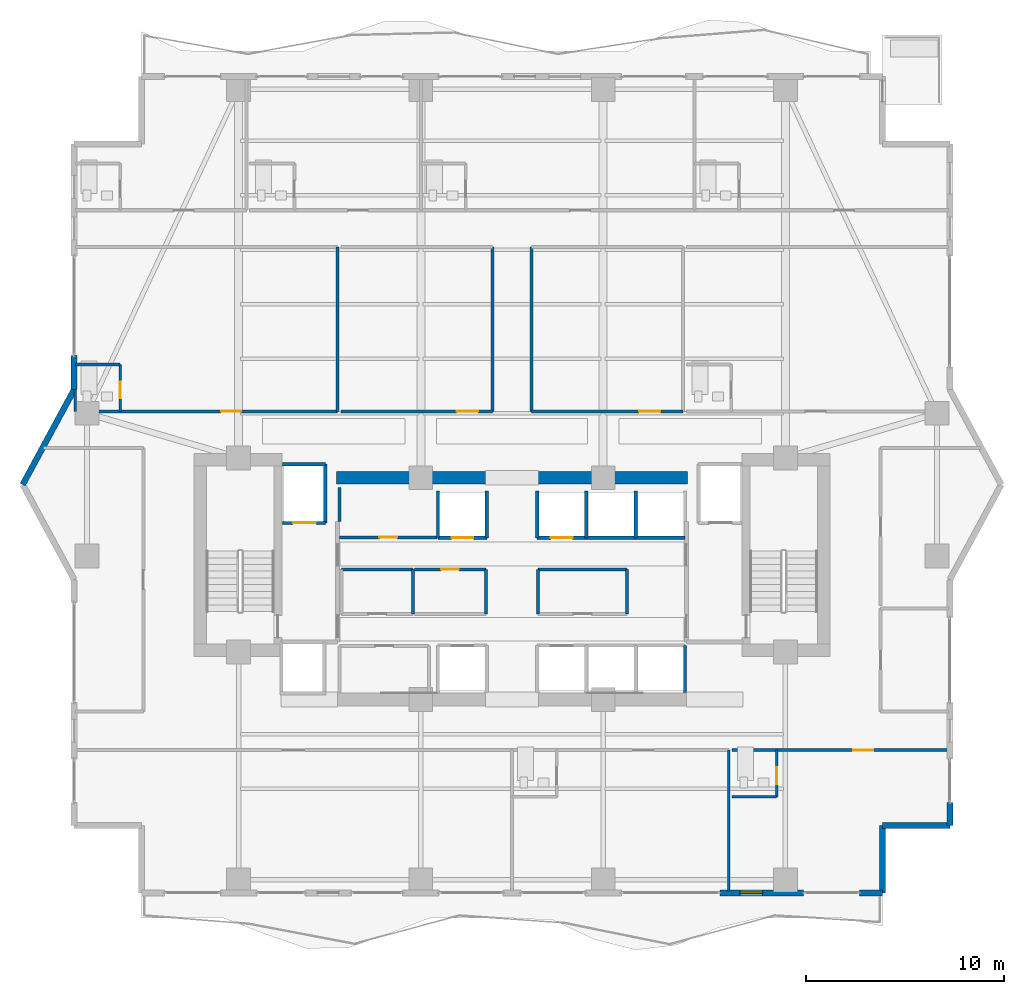
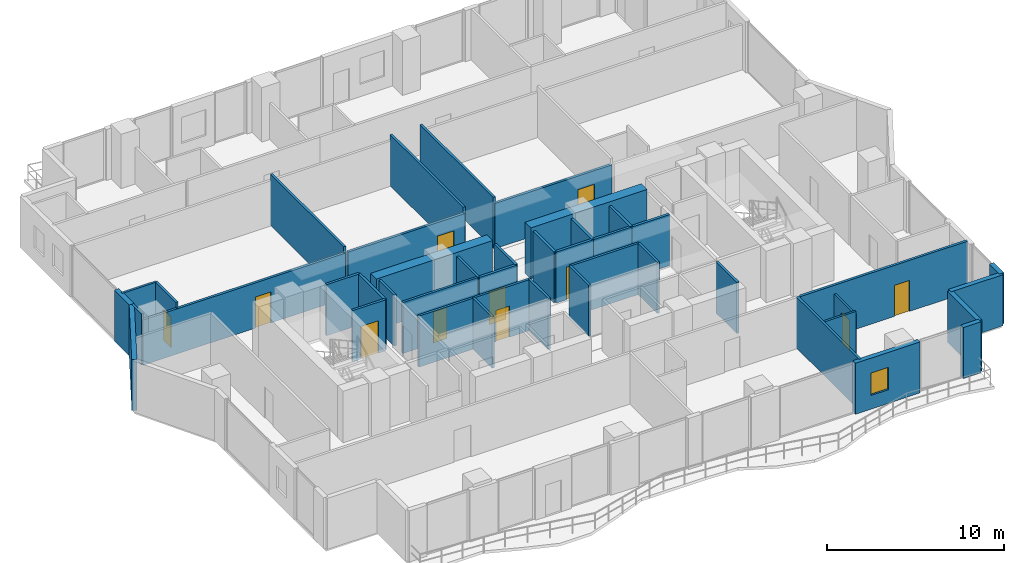
# One storey, part 26 of 32: 44 walls, 11 doors, 1 window, 12 openings.
"""IFC4 building model written with IfcOpenShell, lengths in metres."""

from ifc_helpers import new_model, si_unit, direction, frame, frame_2d, origin, place, context, subcontext, project, spatial, rectangle, extrude, material, layer, layer_set, type_object, element, fill, save


model = new_model("IFC4")

# Units and contexts
model_context = context("Model", 3, precision=1e-05, world=origin(), true_north=direction((0.0, 1.0)))
body_context = subcontext(model_context, "Body", "Model", "MODEL_VIEW")
ifc_project = project(units=[si_unit("LENGTHUNIT", "METRE"), si_unit("AREAUNIT", "SQUARE_METRE"), si_unit("VOLUMEUNIT", "CUBIC_METRE"), si_unit("PLANEANGLEUNIT", "RADIAN"), si_unit("MASSUNIT", "GRAM", prefix="KILO")], contexts=[model_context])

# Site, building, storey
site_placement = place(None, origin())
site = spatial("IfcSite", under=ifc_project, at=site_placement, CompositionType="ELEMENT")
building_placement = place(site_placement, origin())
building = spatial("IfcBuilding", under=site, at=building_placement, Name="Zuhayl Quay Hotel", CompositionType="ELEMENT")
storey_placement = place(building_placement, frame((0.0, 0.0, 218.64990234375)))
storey = spatial("IfcBuildingStorey", under=building, at=storey_placement, Name="L55", CompositionType="ELEMENT", Elevation=218.64990234375)

# Walls
ifc_material_1 = material(Name="Concrete C50/60", Category="concrete")
ifc_layer_1 = layer(ifc_material_1, 0.64990234375, Name="Concrete C50/60", Category="concrete")
ifc_layer_set_1 = layer_set([ifc_layer_1], Name="Concrete C50/60")
wall_type_1 = type_object("IfcWallType", Name="WL_CORE_650", PredefinedType="SHEAR", material=ifc_layer_set_1)
for number, where, z_axis, x_axis, name in (
    (1, (-8.85009765625, 13.35009765625, 0.0), (0.0, 0.0, 1.0), (1.0, 0.0, 0.0), "L55 Core Shear Wall CW_NC_W"),
    (2, (1.25, 13.35009765625, 0.0), (0.0, 0.0, 1.0), (1.0, 0.0, 0.0), "L55 Core Shear Wall CW_NC_E"),
):
    element("IfcWall", number, at=place(storey_placement, frame(where, z_axis=z_axis, x_axis=x_axis)), inside=storey, type_object=wall_type_1, Name=name, PredefinedType="SHEAR", context=body_context, shape_type="SweptSolid", body=[
        extrude(rectangle(XDim=7.60009765625, YDim=0.64990234375, at=frame_2d((3.800048828125, 0.0))), origin(), (0.0, 0.0, 1.0), 3.530029296875),
    ])
ifc_material_2 = material(Name="Precast concrete C45/55", Category="concrete")
ifc_layer_2 = layer(ifc_material_2, 0.300048828125, Name="Precast concrete C45/55", Category="concrete")
ifc_layer_set_2 = layer_set([ifc_layer_2], Name="Precast concrete C45/55")
wall_type_2 = type_object("IfcWallType", Name="WL_EXT_300", PredefinedType="STANDARD", material=ifc_layer_set_2)
wall_1_placement = place(storey_placement, frame((-24.699951171875, 13.0, 0.0), z_axis=(0.0, 0.0, 1.0), x_axis=(0.476258655584, 0.879305233114, 0.0)))
element("IfcWall", 3, at=wall_1_placement, inside=storey, type_object=wall_type_2, Name="L55 Exterior Precast Wall ENV_L55_EW04", PredefinedType="STANDARD", context=body_context, shape_type="SweptSolid", body=[
    extrude(rectangle(XDim=5.458984375, YDim=0.300048828125, at=frame_2d((2.7294921875, 0.0))), origin(), (0.0, 0.0, 1.0), 3.530029296875),
])
wall_2_placement = place(storey_placement, frame((-22.10009765625, 17.800048828125, 0.0), z_axis=(0.0, 0.0, 1.0), x_axis=(0.0, 1.0, 0.0)))
element("IfcWall", 4, at=wall_2_placement, inside=storey, type_object=wall_type_2, Name="L55 Exterior Precast Wall ENV_L55_E05_EW1", PredefinedType="STANDARD", context=body_context, shape_type="SweptSolid", body=[
    extrude(rectangle(XDim=1.7099609375, YDim=0.300048828125, at=frame_2d((0.85498046875, 0.0))), origin(), (0.0, 0.0, 1.0), 3.530029296875),
])
wall_3_placement = place(storey_placement, frame((22.10009765625, -3.050048828125, 0.0), z_axis=(0.0, 0.0, 1.0), x_axis=(0.0, -1.0, 0.0)))
element("IfcWall", 5, at=wall_3_placement, inside=storey, type_object=wall_type_2, Name="L55 Exterior Precast Wall ENV_L55_E14_EW3", PredefinedType="STANDARD", context=body_context, shape_type="SweptSolid", body=[
    extrude(rectangle(XDim=1.14990234375, YDim=0.300048828125, at=frame_2d((0.574951171875, 0.0))), origin(), (0.0, 0.0, 1.0), 3.530029296875),
])
for number, where, z_axis, x_axis, name in (
    (6, (22.10009765625, -4.199951171875, 0.0), (0.0, 0.0, 1.0), (-1.0, 0.0, 0.0), "L55 Exterior Precast Wall ENV_L55_EW15"),
    (7, (18.699951171875, -4.199951171875, 0.0), (0.0, 0.0, 1.0), (0.0, -1.0, 0.0), "L55 Exterior Precast Wall ENV_L55_EW16"),
):
    element("IfcWall", number, at=place(storey_placement, frame(where, z_axis=z_axis, x_axis=x_axis)), inside=storey, type_object=wall_type_2, Name=name, PredefinedType="STANDARD", context=body_context, shape_type="SweptSolid", body=[
        extrude(rectangle(XDim=3.400146484375, YDim=0.300048828125, at=frame_2d((1.7001953125, 0.0))), origin(), (0.0, 0.0, 1.0), 3.530029296875),
    ])
wall_4_placement = place(storey_placement, frame((18.699951171875, -7.60009765625, 0.0), z_axis=(0.0, 0.0, 1.0), x_axis=(-1.0, 0.0, 0.0)))
element("IfcWall", 8, at=wall_4_placement, inside=storey, type_object=wall_type_2, Name="L55 Exterior Precast Wall ENV_L55_S_EW1", PredefinedType="STANDARD", context=body_context, shape_type="SweptSolid", body=[
    extrude(rectangle(XDim=1.14990234375, YDim=0.300048828125, at=frame_2d((0.574951171875, 0.0))), origin(), (0.0, 0.0, 1.0), 3.530029296875),
])

# Wall, opening, window
wall_5_placement = place(storey_placement, frame((14.719970703125, -7.60009765625, 0.0), z_axis=(0.0, 0.0, 1.0), x_axis=(-1.0, 0.0, 0.0)))
wall_5 = element("IfcWall", 9, at=wall_5_placement, inside=storey, type_object=wall_type_2, Name="L55 Exterior Precast Wall ENV_L55_S_EW2", PredefinedType="STANDARD", context=body_context, shape_type="SweptSolid", body=[
    extrude(rectangle(XDim=4.22998046875, YDim=0.300048828125, at=frame_2d((2.114990234375, 0.0))), origin(), (0.0, 0.0, 1.0), 3.530029296875),
])
opening_1_placement = place(wall_5_placement, frame((2.06494140625, 0.0, 0.949951171875)))
opening_1 = element("IfcOpeningElement", 10, at=opening_1_placement, cuts=wall_5, Name="Opening W01N", PredefinedType="OPENING", context=body_context, shape_type="SweptSolid", body=[
    extrude(rectangle(XDim=1.14990234375, YDim=1.550048828125, at=frame_2d((0.574951171875, 0.77490234375))), frame((0.0, 0.159912109375, 0.0), z_axis=(0.0, -1.0, 0.0), x_axis=(1.0, 0.0, 0.0)), (0.0, 0.0, 1.0), 0.320068359375),
])
ifc_material_3 = material(Name="Dark Ceramic-Fritted Solar Glass", Category="glass")
window_type = type_object("IfcWindowType", Name="WN_NOTCH_1350", PartitioningType="SINGLE_PANEL", PredefinedType="WINDOW", material=ifc_material_3)
window_placement = place(opening_1_placement, origin())
window = element("IfcWindow", 11, at=window_placement, inside=storey, type_object=window_type, Name="L55 Operable Facade Window 2-1", OverallHeight=1.550048828125, OverallWidth=1.14990234375, PartitioningType="SINGLE_PANEL", PredefinedType="WINDOW", context=body_context, shape_type="SweptSolid", body=[
    extrude(rectangle(XDim=1.14990234375, YDim=1.550048828125, at=frame_2d((0.574951171875, 0.77490234375))), frame((0.0, 0.030029296875, 0.0), z_axis=(0.0, -1.0, 0.0), x_axis=(1.0, 0.0, 0.0)), (0.0, 0.0, 1.0), 0.06005859375),
])
fill(opening_1, window)

# Wall, opening, door
ifc_material_4 = material(Name="Acoustic Gypsum Partition STC-58")
ifc_layer_3 = layer(ifc_material_4, 0.14990234375, Name="Acoustic Gypsum Partition STC-58")
ifc_layer_set_3 = layer_set([ifc_layer_3], Name="Acoustic Gypsum Partition STC-58")
wall_type_3 = type_object("IfcWallType", Name="WL_PART_150", PredefinedType="PARTITIONING", material=ifc_layer_set_3)
wall_6_placement = place(storey_placement, frame((-8.7099609375, 10.340087890625, 0.0), z_axis=(0.0, 0.0, 1.0), x_axis=(1.0, 0.0, 0.0)))
wall_6 = element("IfcWall", 12, at=wall_6_placement, inside=storey, type_object=wall_type_3, Name="L55 Partition IW_L55_FLP_N_S", PredefinedType="PARTITIONING", context=body_context, shape_type="SweptSolid", body=[
    extrude(rectangle(XDim=4.919921875, YDim=0.14990234375, at=frame_2d((2.4599609375, 0.0))), origin(), (0.0, 0.0, 1.0), 3.530029296875),
])
opening_2_placement = place(wall_6_placement, frame((2.010009765625, 0.0, 0.0)))
opening_2 = element("IfcOpeningElement", 13, at=opening_2_placement, cuts=wall_6, Name="Opening D06", PredefinedType="OPENING", context=body_context, shape_type="SweptSolid", body=[
    extrude(rectangle(XDim=0.89990234375, YDim=2.14990234375, at=frame_2d((0.449951171875, 1.074951171875))), frame((0.0, 0.0849609375, 0.0), z_axis=(0.0, -1.0, 0.0), x_axis=(1.0, 0.0, 0.0)), (0.0, 0.0, 1.0), 0.169921875),
])
ifc_material_5 = material(Name="Steel ASTM A992 Grade 50", Category="steel")
door_type_1 = type_object("IfcDoorType", Name="DR_INT_900", OperationType="NOTDEFINED", PredefinedType="DOOR", material=ifc_material_5)
door_1_placement = place(opening_2_placement, origin())
door_1 = element("IfcDoor", 14, at=door_1_placement, inside=storey, type_object=door_type_1, Name="L55 Sky-Zone Valet Store Door", OperationType="SINGLE_SWING_RIGHT", OverallHeight=2.14990234375, OverallWidth=0.89990234375, PredefinedType="DOOR", context=body_context, shape_type="SweptSolid", body=[
    extrude(rectangle(XDim=0.89990234375, YDim=2.14990234375, at=frame_2d((0.449951171875, 1.074951171875))), frame((0.0, 0.02490234375, 0.0), z_axis=(0.0, -1.0, 0.0), x_axis=(1.0, 0.0, 0.0)), (0.0, 0.0, 1.0), 0.050048828125),
])
fill(opening_2, door_1)

wall_7_placement = place(storey_placement, frame((-4.929931640625, 8.719970703125, 0.0), z_axis=(0.0, 0.0, 1.0), x_axis=(1.0, 0.0, 0.0)))
wall_7 = element("IfcWall", 15, at=wall_7_placement, inside=storey, type_object=wall_type_3, Name="L55 Partition IW_L55_CORE_BM_N", PredefinedType="PARTITIONING", context=body_context, shape_type="SweptSolid", body=[
    extrude(rectangle(XDim=3.60986328125, YDim=0.14990234375, at=frame_2d((1.804931640625, 0.0))), origin(), (0.0, 0.0, 1.0), 3.530029296875),
])
opening_3_placement = place(wall_7_placement, frame((1.35498046875, 0.0, 0.0)))
opening_3 = element("IfcOpeningElement", 16, at=opening_3_placement, cuts=wall_7, Name="Opening D06", PredefinedType="OPENING", context=body_context, shape_type="SweptSolid", body=[
    extrude(rectangle(XDim=0.89990234375, YDim=2.14990234375, at=frame_2d((0.449951171875, 1.074951171875))), frame((0.0, 0.0849609375, 0.0), z_axis=(0.0, -1.0, 0.0), x_axis=(1.0, 0.0, 0.0)), (0.0, 0.0, 1.0), 0.169921875),
])
door_2_placement = place(opening_3_placement, origin())
door_2 = element("IfcDoor", 17, at=door_2_placement, inside=storey, type_object=door_type_1, Name="L55 Telecom and BMS Closet Door", OperationType="SINGLE_SWING_RIGHT", OverallHeight=2.14990234375, OverallWidth=0.89990234375, PredefinedType="DOOR", context=body_context, shape_type="SweptSolid", body=[
    extrude(rectangle(XDim=0.89990234375, YDim=2.14990234375, at=frame_2d((0.449951171875, 1.074951171875))), frame((0.0, 0.02490234375, 0.0), z_axis=(0.0, -1.0, 0.0), x_axis=(1.0, 0.0, 0.0)), (0.0, 0.0, 1.0), 0.050048828125),
])
fill(opening_3, door_2)

# Walls
wall_8_placement = place(storey_placement, frame((-8.7099609375, 11.14990234375, 0.0), z_axis=(0.0, 0.0, 1.0), x_axis=(0.0, 1.0, 0.0)))
element("IfcWall", 18, at=wall_8_placement, inside=storey, type_object=wall_type_3, Name="L55 Partition IW_L55_FLP_N_W", PredefinedType="PARTITIONING", context=body_context, shape_type="SweptSolid", body=[
    extrude(rectangle(XDim=1.710205078125, YDim=0.14990234375, at=frame_2d((0.85498046875, 0.0))), origin(), (0.0, 0.0, 1.0), 3.530029296875),
])
wall_9_placement = place(storey_placement, frame((-8.610107421875, 8.719970703125, 0.0), z_axis=(0.0, 0.0, 1.0), x_axis=(1.0, 0.0, 0.0)))
element("IfcWall", 19, at=wall_9_placement, inside=storey, type_object=wall_type_3, Name="L55 Partition IW_L55_CORE_SW_N", PredefinedType="PARTITIONING", context=body_context, shape_type="SweptSolid", body=[
    extrude(rectangle(XDim=3.6201171875, YDim=0.14990234375, at=frame_2d((1.81005859375, 0.0))), origin(), (0.0, 0.0, 1.0), 3.530029296875),
])
for number, where, z_axis, x_axis, name in (
    (20, (-4.989990234375, 6.47998046875, 0.0), (0.0, 0.0, 1.0), (0.0, 1.0, 0.0), "L55 Partition IW_L55_CORE_SW_E"),
    (21, (-1.320068359375, 6.47998046875, 0.0), (0.0, 0.0, 1.0), (0.0, 1.0, 0.0), "L55 Partition IW_L55_CORE_BM_E"),
):
    element("IfcWall", number, at=place(storey_placement, frame(where, z_axis=z_axis, x_axis=x_axis)), inside=storey, type_object=wall_type_3, Name=name, PredefinedType="PARTITIONING", context=body_context, shape_type="SweptSolid", body=[
        extrude(rectangle(XDim=2.239990234375, YDim=0.14990234375, at=frame_2d((1.1201171875, 0.0))), origin(), (0.0, 0.0, 1.0), 3.530029296875),
    ])
wall_10_placement = place(storey_placement, frame((1.320068359375, 8.719970703125, 0.0), z_axis=(0.0, 0.0, 1.0), x_axis=(1.0, 0.0, 0.0)))
element("IfcWall", 22, at=wall_10_placement, inside=storey, type_object=wall_type_3, Name="L55 Partition IW_L55_CORE_PN_N", PredefinedType="PARTITIONING", context=body_context, shape_type="SweptSolid", body=[
    extrude(rectangle(XDim=4.489990234375, YDim=0.14990234375, at=frame_2d((2.2451171875, 0.0))), origin(), (0.0, 0.0, 1.0), 3.530029296875),
])
for number, where, z_axis, x_axis, name in (
    (23, (1.320068359375, 6.47998046875, 0.0), (0.0, 0.0, 1.0), (0.0, 1.0, 0.0), "L55 Partition IW_L55_CORE_PN_W"),
    (24, (5.81005859375, 6.47998046875, 0.0), (0.0, 0.0, 1.0), (0.0, 1.0, 0.0), "L55 Partition IW_L55_CORE_PN_E"),
):
    element("IfcWall", number, at=place(storey_placement, frame(where, z_axis=z_axis, x_axis=x_axis)), inside=storey, type_object=wall_type_3, Name=name, PredefinedType="PARTITIONING", context=body_context, shape_type="SweptSolid", body=[
        extrude(rectangle(XDim=2.239990234375, YDim=0.14990234375, at=frame_2d((1.1201171875, 0.0))), origin(), (0.0, 0.0, 1.0), 3.530029296875),
    ])
for number, where, z_axis, x_axis, name in (
    (25, (-8.800048828125, 16.699951171875, 0.0), (0.0, 0.0, 1.0), (0.0, 1.0, 0.0), "L55 Partition IW_L55_MU01_E"),
    (26, (-0.97998046875, 16.699951171875, 0.0), (0.0, 0.0, 1.0), (0.0, 1.0, 0.0), "L55 Partition IW_L55_Z3_MID_W_E"),
    (27, (0.97998046875, 16.699951171875, 0.0), (0.0, 0.0, 1.0), (0.0, 1.0, 0.0), "L55 Partition IW_L55_Z3_MID_E_W"),
):
    element("IfcWall", number, at=place(storey_placement, frame(where, z_axis=z_axis, x_axis=x_axis)), inside=storey, type_object=wall_type_3, Name=name, PredefinedType="PARTITIONING", context=body_context, shape_type="SweptSolid", body=[
        extrude(rectangle(XDim=8.300048828125, YDim=0.14990234375, at=frame_2d((4.14990234375, 0.0))), origin(), (0.0, 0.0, 1.0), 3.530029296875),
    ])
wall_11_placement = place(storey_placement, frame((10.93994140625, -7.52001953125, 0.0), z_axis=(0.0, 0.0, 1.0), x_axis=(0.0, 1.0, 0.0)))
element("IfcWall", 28, at=wall_11_placement, inside=storey, type_object=wall_type_3, Name="L55 Partition IW_L55_SU02A_E", PredefinedType="PARTITIONING", context=body_context, shape_type="SweptSolid", body=[
    extrude(rectangle(XDim=7.1201171875, YDim=0.14990234375, at=frame_2d((3.56005859375, 0.0))), origin(), (0.0, 0.0, 1.0), 3.530029296875),
])

# Wall, opening, door
ifc_layer_4 = layer(ifc_material_4, 0.159912109375, Name="Acoustic Gypsum Partition STC-58")
ifc_layer_set_4 = layer_set([ifc_layer_4], Name="Acoustic Gypsum Partition STC-58")
wall_type_4 = type_object("IfcWallType", Name="WL_PART_CORR_160", PredefinedType="PARTITIONING", material=ifc_layer_set_4)
wall_12_placement = place(storey_placement, frame((-22.0400390625, 16.699951171875, 0.0), z_axis=(0.0, 0.0, 1.0), x_axis=(1.0, 0.0, 0.0)))
wall_12 = element("IfcWall", 29, at=wall_12_placement, inside=storey, type_object=wall_type_4, Name="L55 Partition IW_L55_MU01_COR", PredefinedType="PARTITIONING", context=body_context, shape_type="SweptSolid", body=[
    extrude(rectangle(XDim=13.239990234375, YDim=0.159912109375, at=frame_2d((6.6201171875, 0.0))), origin(), (0.0, 0.0, 1.0), 3.1240234375),
])
opening_4_placement = place(wall_12_placement, frame((7.364990234375, 0.0, 0.0)))
opening_4 = element("IfcOpeningElement", 30, at=opening_4_placement, cuts=wall_12, Name="Opening D03L", PredefinedType="OPENING", context=body_context, shape_type="SweptSolid", body=[
    extrude(rectangle(XDim=1.0, YDim=2.14990234375, at=frame_2d((0.5, 1.074951171875))), frame((0.0, 0.08984375, 0.0), z_axis=(0.0, -1.0, 0.0), x_axis=(1.0, 0.0, 0.0)), (0.0, 0.0, 1.0), 0.179931640625),
])
ifc_material_6 = material(Name="Solid Walnut Acoustic Fire Door")
door_type_2 = type_object("IfcDoorType", Name="DR_SUITE_1000", OperationType="NOTDEFINED", PredefinedType="DOOR", material=ifc_material_6)
door_3_placement = place(opening_4_placement, origin())
door_3 = element("IfcDoor", 31, at=door_3_placement, inside=storey, type_object=door_type_2, Name="L55 Club Junior Suite L55-M1 Entrance Door", OperationType="SINGLE_SWING_LEFT", OverallHeight=2.14990234375, OverallWidth=1.0, PredefinedType="DOOR", context=body_context, shape_type="SweptSolid", body=[
    extrude(rectangle(XDim=1.0, YDim=2.14990234375, at=frame_2d((0.5, 1.074951171875))), frame((0.0, 0.02490234375, 0.0), z_axis=(0.0, -1.0, 0.0), x_axis=(1.0, 0.0, 0.0)), (0.0, 0.0, 1.0), 0.050048828125),
])
fill(opening_4, door_3)

wall_13_placement = place(storey_placement, frame((-8.639892578125, 16.699951171875, 0.0), z_axis=(0.0, 0.0, 1.0), x_axis=(1.0, 0.0, 0.0)))
wall_13 = element("IfcWall", 32, at=wall_13_placement, inside=storey, type_object=wall_type_4, Name="L55 Partition IW_L55_Z3_MID_W_S", PredefinedType="PARTITIONING", context=body_context, shape_type="SweptSolid", body=[
    extrude(rectangle(XDim=7.659912109375, YDim=0.159912109375, at=frame_2d((3.830078125, 0.0))), origin(), (0.0, 0.0, 1.0), 3.1240234375),
])
opening_5_placement = place(wall_13_placement, frame((5.85009765625, 0.0, 0.0)))
opening_5 = element("IfcOpeningElement", 33, at=opening_5_placement, cuts=wall_13, Name="Opening D05A", PredefinedType="OPENING", context=body_context, shape_type="SweptSolid", body=[
    extrude(rectangle(XDim=1.080078125, YDim=2.179931640625, at=frame_2d((0.5400390625, 1.08984375))), frame((0.0, 0.08984375, 0.0), z_axis=(0.0, -1.0, 0.0), x_axis=(1.0, 0.0, 0.0)), (0.0, 0.0, 1.0), 0.179931640625),
])
door_type_3 = type_object("IfcDoorType", Name="DR_INT_1100", OperationType="NOTDEFINED", PredefinedType="DOOR", material=ifc_material_6)
door_4_placement = place(opening_5_placement, origin())
door_4 = element("IfcDoor", 34, at=door_4_placement, inside=storey, type_object=door_type_3, Name="L55 Curated Art Library Door", OperationType="SINGLE_SWING_RIGHT", OverallHeight=2.179931640625, OverallWidth=1.080078125, PredefinedType="DOOR", context=body_context, shape_type="SweptSolid", body=[
    extrude(rectangle(XDim=1.080078125, YDim=2.179931640625, at=frame_2d((0.5400390625, 1.08984375))), frame((0.0, 0.02490234375, 0.0), z_axis=(0.0, -1.0, 0.0), x_axis=(1.0, 0.0, 0.0)), (0.0, 0.0, 1.0), 0.050048828125),
])
fill(opening_5, door_4)

wall_14_placement = place(storey_placement, frame((0.97998046875, 16.699951171875, 0.0), z_axis=(0.0, 0.0, 1.0), x_axis=(1.0, 0.0, 0.0)))
wall_14 = element("IfcWall", 35, at=wall_14_placement, inside=storey, type_object=wall_type_4, Name="L55 Partition IW_L55_Z3_MID_E_S", PredefinedType="PARTITIONING", context=body_context, shape_type="SweptSolid", body=[
    extrude(rectangle(XDim=7.659912109375, YDim=0.159912109375, at=frame_2d((3.830078125, 0.0))), origin(), (0.0, 0.0, 1.0), 3.1240234375),
])
opening_6_placement = place(wall_14_placement, frame((5.429931640625, 0.0, 0.0)))
opening_6 = element("IfcOpeningElement", 36, at=opening_6_placement, cuts=wall_14, Name="Opening D05A", PredefinedType="OPENING", context=body_context, shape_type="SweptSolid", body=[
    extrude(rectangle(XDim=1.080078125, YDim=2.179931640625, at=frame_2d((0.5400390625, 1.08984375))), frame((0.0, 0.08984375, 0.0), z_axis=(0.0, -1.0, 0.0), x_axis=(1.0, 0.0, 0.0)), (0.0, 0.0, 1.0), 0.179931640625),
])
door_5_placement = place(opening_6_placement, origin())
door_5 = element("IfcDoor", 37, at=door_5_placement, inside=storey, type_object=door_type_3, Name="L55 Horizon Screening Salon Door", OperationType="SINGLE_SWING_LEFT", OverallHeight=2.179931640625, OverallWidth=1.080078125, PredefinedType="DOOR", context=body_context, shape_type="SweptSolid", body=[
    extrude(rectangle(XDim=1.080078125, YDim=2.179931640625, at=frame_2d((0.5400390625, 1.08984375))), frame((0.0, 0.02490234375, 0.0), z_axis=(0.0, -1.0, 0.0), x_axis=(1.0, 0.0, 0.0)), (0.0, 0.0, 1.0), 0.050048828125),
])
fill(opening_6, door_5)

wall_15_placement = place(storey_placement, frame((11.10009765625, -0.39990234375, 0.0), z_axis=(0.0, 0.0, 1.0), x_axis=(1.0, 0.0, 0.0)))
wall_15 = element("IfcWall", 38, at=wall_15_placement, inside=storey, type_object=wall_type_4, Name="L55 Partition IW_L55_SU02B_COR", PredefinedType="PARTITIONING", context=body_context, shape_type="SweptSolid", body=[
    extrude(rectangle(XDim=10.93994140625, YDim=0.159912109375, at=frame_2d((5.469970703125, 0.0))), origin(), (0.0, 0.0, 1.0), 3.530029296875),
])
opening_7_placement = place(wall_15_placement, frame((6.1201171875, 0.0, 0.0)))
opening_7 = element("IfcOpeningElement", 39, at=opening_7_placement, cuts=wall_15, Name="Opening D03L", PredefinedType="OPENING", context=body_context, shape_type="SweptSolid", body=[
    extrude(rectangle(XDim=1.0, YDim=2.14990234375, at=frame_2d((0.5, 1.074951171875))), frame((0.0, 0.08984375, 0.0), z_axis=(0.0, -1.0, 0.0), x_axis=(1.0, 0.0, 0.0)), (0.0, 0.0, 1.0), 0.179931640625),
])
door_6_placement = place(opening_7_placement, origin())
door_6 = element("IfcDoor", 40, at=door_6_placement, inside=storey, type_object=door_type_2, Name="L55 City-View Junior Suite L55-02B Entrance Door", OperationType="SINGLE_SWING_RIGHT", OverallHeight=2.14990234375, OverallWidth=1.0, PredefinedType="DOOR", context=body_context, shape_type="SweptSolid", body=[
    extrude(rectangle(XDim=1.0, YDim=2.14990234375, at=frame_2d((0.5, 1.074951171875))), frame((0.0, 0.02490234375, 0.0), z_axis=(0.0, -1.0, 0.0), x_axis=(1.0, 0.0, 0.0)), (0.0, 0.0, 1.0), 0.050048828125),
])
fill(opening_7, door_6)

ifc_material_7 = material(Name="Moisture-Resistant Sanitarychase Gypsum")
ifc_layer_5 = layer(ifc_material_7, 0.135009765625, Name="Moisture-Resistant Sanitarychase Gypsum")
ifc_layer_set_5 = layer_set([ifc_layer_5], Name="Moisture-Resistant Sanitarychase Gypsum")
wall_type_5 = type_object("IfcWallType", Name="WL_PART_PLUMB_150", PredefinedType="PLUMBINGWALL", material=ifc_layer_set_5)
wall_16_placement = place(storey_placement, frame((-19.780029296875, 16.699951171875, 0.0), z_axis=(0.0, 0.0, 1.0), x_axis=(0.0, 1.0, 0.0)))
wall_16 = element("IfcWall", 41, at=wall_16_placement, inside=storey, type_object=wall_type_5, Name="L55 Partition IW_L55_MU01_BE", PredefinedType="PLUMBINGWALL", context=body_context, shape_type="SweptSolid", body=[
    extrude(rectangle(XDim=2.360107421875, YDim=0.135009765625, at=frame_2d((1.18017578125, 0.0))), origin(), (0.0, 0.0, 1.0), 3.530029296875),
])
opening_8_placement = place(wall_16_placement, frame((0.64990234375, 0.0, 0.0)))
opening_8 = element("IfcOpeningElement", 42, at=opening_8_placement, cuts=wall_16, Name="Opening D04", PredefinedType="OPENING", context=body_context, shape_type="SweptSolid", body=[
    extrude(rectangle(XDim=0.85009765625, YDim=2.10009765625, at=frame_2d((0.425048828125, 1.050048828125))), frame((0.0, 0.077392578125, 0.0), z_axis=(0.0, -1.0, 0.0), x_axis=(1.0, 0.0, 0.0)), (0.0, 0.0, 1.0), 0.155029296875),
])
ifc_material_8 = material(Name="Moisture-Resistant Walnut Veneer")
door_type_4 = type_object("IfcDoorType", Name="DR_BATH_850", OperationType="NOTDEFINED", PredefinedType="DOOR", material=ifc_material_8)
door_7_placement = place(opening_8_placement, origin())
door_7 = element("IfcDoor", 43, at=door_7_placement, inside=storey, type_object=door_type_4, Name="L55 Club Junior Suite L55-M1 En-Suite Door", OperationType="SINGLE_SWING_RIGHT", OverallHeight=2.10009765625, OverallWidth=0.85009765625, PredefinedType="DOOR", context=body_context, shape_type="SweptSolid", body=[
    extrude(rectangle(XDim=0.85009765625, YDim=2.10009765625, at=frame_2d((0.425048828125, 1.050048828125))), frame((0.0, 0.02490234375, 0.0), z_axis=(0.0, -1.0, 0.0), x_axis=(1.0, 0.0, 0.0)), (0.0, 0.0, 1.0), 0.050048828125),
])
fill(opening_8, door_7)

wall_17_placement = place(storey_placement, frame((13.360107421875, -2.760009765625, 0.0), z_axis=(0.0, 0.0, 1.0), x_axis=(0.0, 1.0, 0.0)))
wall_17 = element("IfcWall", 44, at=wall_17_placement, inside=storey, type_object=wall_type_5, Name="L55 Partition IW_L55_SU02B_BE", PredefinedType="PLUMBINGWALL", context=body_context, shape_type="SweptSolid", body=[
    extrude(rectangle(XDim=2.360107421875, YDim=0.135009765625, at=frame_2d((1.18017578125, 0.0))), origin(), (0.0, 0.0, 1.0), 2.923095703125),
])
opening_9_placement = place(wall_17_placement, frame((0.64990234375, 0.0, 0.0)))
opening_9 = element("IfcOpeningElement", 45, at=opening_9_placement, cuts=wall_17, Name="Opening D04", PredefinedType="OPENING", context=body_context, shape_type="SweptSolid", body=[
    extrude(rectangle(XDim=0.85009765625, YDim=2.10009765625, at=frame_2d((0.425048828125, 1.050048828125))), frame((0.0, 0.077392578125, 0.0), z_axis=(0.0, -1.0, 0.0), x_axis=(1.0, 0.0, 0.0)), (0.0, 0.0, 1.0), 0.155029296875),
])
door_8_placement = place(opening_9_placement, origin())
door_8 = element("IfcDoor", 46, at=door_8_placement, inside=storey, type_object=door_type_4, Name="L55 City-View Junior Suite L55-02B En-Suite Door", OperationType="SINGLE_SWING_LEFT", OverallHeight=2.10009765625, OverallWidth=0.85009765625, PredefinedType="DOOR", context=body_context, shape_type="SweptSolid", body=[
    extrude(rectangle(XDim=0.85009765625, YDim=2.10009765625, at=frame_2d((0.425048828125, 1.050048828125))), frame((0.0, 0.02490234375, 0.0), z_axis=(0.0, -1.0, 0.0), x_axis=(1.0, 0.0, 0.0)), (0.0, 0.0, 1.0), 0.050048828125),
])
fill(opening_9, door_8)

# Walls
wall_18_placement = place(storey_placement, frame((-22.0400390625, 19.06005859375, 0.0), z_axis=(0.0, 0.0, 1.0), x_axis=(1.0, 0.0, 0.0)))
element("IfcWall", 47, at=wall_18_placement, inside=storey, type_object=wall_type_5, Name="L55 Partition IW_L55_MU01_BN", PredefinedType="PLUMBINGWALL", context=body_context, shape_type="SweptSolid", body=[
    extrude(rectangle(XDim=2.260009765625, YDim=0.135009765625, at=frame_2d((1.1298828125, 0.0))), origin(), (0.0, 0.0, 1.0), 3.530029296875),
])
wall_19_placement = place(storey_placement, frame((-22.0400390625, 16.699951171875, 0.0), z_axis=(0.0, 0.0, 1.0), x_axis=(0.0, 1.0, 0.0)))
element("IfcWall", 48, at=wall_19_placement, inside=storey, type_object=wall_type_5, Name="L55 Partition IW_L55_MU01_BW", PredefinedType="PLUMBINGWALL", context=body_context, shape_type="SweptSolid", body=[
    extrude(rectangle(XDim=1.10009765625, YDim=0.135009765625, at=frame_2d((0.550048828125, 0.0))), origin(), (0.0, 0.0, 1.0), 3.530029296875),
])
wall_20_placement = place(storey_placement, frame((11.10009765625, -2.760009765625, 0.0), z_axis=(0.0, 0.0, 1.0), x_axis=(1.0, 0.0, 0.0)))
element("IfcWall", 49, at=wall_20_placement, inside=storey, type_object=wall_type_5, Name="L55 Partition IW_L55_SU02B_BS", PredefinedType="PLUMBINGWALL", context=body_context, shape_type="SweptSolid", body=[
    extrude(rectangle(XDim=2.260009765625, YDim=0.135009765625, at=frame_2d((1.1298828125, 0.0))), origin(), (0.0, 0.0, 1.0), 3.1240234375),
])

# Wall, opening, door
ifc_material_9 = material(Name="Gypsum Fireboard Assembly EI-90")
ifc_layer_6 = layer(ifc_material_9, 0.1650390625, Name="Gypsum Fireboard Assembly EI-90")
ifc_layer_set_6 = layer_set([ifc_layer_6], Name="Gypsum Fireboard Assembly EI-90")
wall_type_6 = type_object("IfcWallType", Name="WL_PART_SHAFT_160", PredefinedType="PARTITIONING", material=ifc_layer_set_6)
wall_21_placement = place(storey_placement, frame((-11.580078125, 11.070068359375, 0.0), z_axis=(0.0, 0.0, 1.0), x_axis=(1.0, 0.0, 0.0)))
wall_21 = element("IfcWall", 50, at=wall_21_placement, inside=storey, type_object=wall_type_6, Name="L55 Partition IW_L55_SH_FL1_F", PredefinedType="PARTITIONING", context=body_context, shape_type="SweptSolid", body=[
    extrude(rectangle(XDim=2.16015625, YDim=0.1650390625, at=frame_2d((1.080078125, 0.0))), origin(), (0.0, 0.0, 1.0), 3.530029296875),
])
opening_10_placement = place(wall_21_placement, frame((0.530029296875, 0.0, 0.0)))
opening_10 = element("IfcOpeningElement", 51, at=opening_10_placement, cuts=wall_21, Name="Opening LD2", PredefinedType="OPENING", context=body_context, shape_type="SweptSolid", body=[
    extrude(rectangle(XDim=1.14990234375, YDim=2.25, at=frame_2d((0.574951171875, 1.125))), frame((0.0, 0.092529296875, 0.0), z_axis=(0.0, -1.0, 0.0), x_axis=(1.0, 0.0, 0.0)), (0.0, 0.0, 1.0), 0.18505859375),
])
ifc_material_10 = material(Name="Brushed Stainless Steel", Category="steel")
door_type_5 = type_object("IfcDoorType", Name="DR_LIFT_FF_1100", OperationType="SLIDING_TO_LEFT", PredefinedType="DOOR", material=ifc_material_10)
door_9_placement = place(opening_10_placement, origin())
door_9 = element("IfcDoor", 52, at=door_9_placement, inside=storey, type_object=door_type_5, Name="L55 Lift FL1 Sliding Landing Door", OperationType="SLIDING_TO_LEFT", OverallHeight=2.25, OverallWidth=1.14990234375, PredefinedType="DOOR", context=body_context, shape_type="SweptSolid", body=[
    extrude(rectangle(XDim=1.14990234375, YDim=2.25, at=frame_2d((0.574951171875, 1.125))), frame((0.0, 0.02490234375, 0.0), z_axis=(0.0, -1.0, 0.0), x_axis=(1.0, 0.0, 0.0)), (0.0, 0.0, 1.0), 0.050048828125),
])
fill(opening_10, door_9)

wall_22_placement = place(storey_placement, frame((-3.72998046875, 10.320068359375, 0.0), z_axis=(0.0, 0.0, 1.0), x_axis=(1.0, 0.0, 0.0)))
wall_22 = element("IfcWall", 53, at=wall_22_placement, inside=storey, type_object=wall_type_6, Name="L55 Partition IW_L55_SH_MP3_F", PredefinedType="PARTITIONING", context=body_context, shape_type="SweptSolid", body=[
    extrude(rectangle(XDim=2.4599609375, YDim=0.1650390625, at=frame_2d((1.22998046875, 0.0))), origin(), (0.0, 0.0, 1.0), 3.530029296875),
])
opening_11_placement = place(wall_22_placement, frame((0.679931640625, 0.0, 0.0)))
opening_11 = element("IfcOpeningElement", 54, at=opening_11_placement, cuts=wall_22, Name="Opening LD1", PredefinedType="OPENING", context=body_context, shape_type="SweptSolid", body=[
    extrude(rectangle(XDim=1.10009765625, YDim=2.25, at=frame_2d((0.550048828125, 1.125))), frame((0.0, 0.092529296875, 0.0), z_axis=(0.0, -1.0, 0.0), x_axis=(1.0, 0.0, 0.0)), (0.0, 0.0, 1.0), 0.18505859375),
])
door_type_6 = type_object("IfcDoorType", Name="DR_LIFT_PASS_1100", OperationType="SLIDING_TO_LEFT", PredefinedType="DOOR", material=ifc_material_10)
door_10_placement = place(opening_11_placement, origin())
door_10 = element("IfcDoor", 55, at=door_10_placement, inside=storey, type_object=door_type_6, Name="L55 Lift MP3 Sliding Landing Door", OperationType="SLIDING_TO_LEFT", OverallHeight=2.25, OverallWidth=1.10009765625, PredefinedType="DOOR", context=body_context, shape_type="SweptSolid", body=[
    extrude(rectangle(XDim=1.10009765625, YDim=2.25, at=frame_2d((0.550048828125, 1.125))), frame((0.0, 0.02490234375, 0.0), z_axis=(0.0, -1.0, 0.0), x_axis=(1.0, 0.0, 0.0)), (0.0, 0.0, 1.0), 0.050048828125),
])
fill(opening_11, door_10)

wall_23_placement = place(storey_placement, frame((1.27001953125, 10.320068359375, 0.0), z_axis=(0.0, 0.0, 1.0), x_axis=(1.0, 0.0, 0.0)))
wall_23 = element("IfcWall", 56, at=wall_23_placement, inside=storey, type_object=wall_type_6, Name="L55 Partition IW_L55_SH_MP4_F", PredefinedType="PARTITIONING", context=body_context, shape_type="SweptSolid", body=[
    extrude(rectangle(XDim=2.47998046875, YDim=0.1650390625, at=frame_2d((1.239990234375, 0.0))), origin(), (0.0, 0.0, 1.0), 3.530029296875),
])
opening_12_placement = place(wall_23_placement, frame((0.68994140625, 0.0, 0.0)))
opening_12 = element("IfcOpeningElement", 57, at=opening_12_placement, cuts=wall_23, Name="Opening LD1", PredefinedType="OPENING", context=body_context, shape_type="SweptSolid", body=[
    extrude(rectangle(XDim=1.10009765625, YDim=2.25, at=frame_2d((0.550048828125, 1.125))), frame((0.0, 0.092529296875, 0.0), z_axis=(0.0, -1.0, 0.0), x_axis=(1.0, 0.0, 0.0)), (0.0, 0.0, 1.0), 0.18505859375),
])
door_11_placement = place(opening_12_placement, origin())
door_11 = element("IfcDoor", 58, at=door_11_placement, inside=storey, type_object=door_type_6, Name="L55 Lift MP4 Sliding Landing Door", OperationType="SLIDING_TO_LEFT", OverallHeight=2.25, OverallWidth=1.10009765625, PredefinedType="DOOR", context=body_context, shape_type="SweptSolid", body=[
    extrude(rectangle(XDim=1.10009765625, YDim=2.25, at=frame_2d((0.550048828125, 1.125))), frame((0.0, 0.02490234375, 0.0), z_axis=(0.0, -1.0, 0.0), x_axis=(1.0, 0.0, 0.0)), (0.0, 0.0, 1.0), 0.050048828125),
])
fill(opening_12, door_11)

# Walls
wall_24_placement = place(storey_placement, frame((-9.419921875, 11.070068359375, 0.0), z_axis=(0.0, 0.0, 1.0), x_axis=(0.0, 1.0, 0.0)))
element("IfcWall", 59, at=wall_24_placement, inside=storey, type_object=wall_type_6, Name="L55 Partition IW_L55_SH_FL1_E", PredefinedType="PARTITIONING", context=body_context, shape_type="SweptSolid", body=[
    extrude(rectangle(XDim=2.9599609375, YDim=0.1650390625, at=frame_2d((1.47998046875, 0.0))), origin(), (0.0, 0.0, 1.0), 3.530029296875),
])
wall_25_placement = place(storey_placement, frame((-11.580078125, 14.030029296875, 0.0), z_axis=(0.0, 0.0, 1.0), x_axis=(1.0, 0.0, 0.0)))
element("IfcWall", 60, at=wall_25_placement, inside=storey, type_object=wall_type_6, Name="L55 Partition IW_L55_SH_FL1_B", PredefinedType="PARTITIONING", context=body_context, shape_type="SweptSolid", body=[
    extrude(rectangle(XDim=2.16015625, YDim=0.1650390625, at=frame_2d((1.080078125, 0.0))), origin(), (0.0, 0.0, 1.0), 3.530029296875),
])
for number, where, z_axis, x_axis, name in (
    (61, (-3.72998046875, 10.320068359375, 0.0), (0.0, 0.0, 1.0), (0.0, 1.0, 0.0), "L55 Partition IW_L55_SH_MP3_W"),
    (62, (-1.27001953125, 10.320068359375, 0.0), (0.0, 0.0, 1.0), (0.0, 1.0, 0.0), "L55 Partition IW_L55_SH_MP3_E"),
    (63, (1.27001953125, 10.320068359375, 0.0), (0.0, 0.0, 1.0), (0.0, 1.0, 0.0), "L55 Partition IW_L55_SH_MP4_W"),
    (64, (3.75, 10.320068359375, 0.0), (0.0, 0.0, 1.0), (0.0, 1.0, 0.0), "L55 Partition IW_L55_SH_MP4_E"),
    (65, (8.72998046875, 2.52001953125, 0.0), (0.0, 0.0, 1.0), (0.0, 1.0, 0.0), "L55 Partition IW_L55_SH_HP2_E"),
):
    element("IfcWall", number, at=place(storey_placement, frame(where, z_axis=z_axis, x_axis=x_axis)), inside=storey, type_object=wall_type_6, Name=name, PredefinedType="PARTITIONING", context=body_context, shape_type="SweptSolid", body=[
        extrude(rectangle(XDim=2.35986328125, YDim=0.1650390625, at=frame_2d((1.179931640625, 0.0))), origin(), (0.0, 0.0, 1.0), 3.530029296875),
    ])
wall_26_placement = place(storey_placement, frame((3.75, 10.320068359375, 0.0), z_axis=(0.0, 0.0, 1.0), x_axis=(1.0, 0.0, 0.0)))
element("IfcWall", 66, at=wall_26_placement, inside=storey, type_object=wall_type_6, Name="L55 Partition IW_L55_SH_HP3_F", PredefinedType="PARTITIONING", context=body_context, shape_type="SweptSolid", body=[
    extrude(rectangle(XDim=2.5, YDim=0.1650390625, at=frame_2d((1.25, 0.0))), origin(), (0.0, 0.0, 1.0), 3.530029296875),
])
wall_27_placement = place(storey_placement, frame((6.25, 10.320068359375, 0.0), z_axis=(0.0, 0.0, 1.0), x_axis=(0.0, 1.0, 0.0)))
element("IfcWall", 67, at=wall_27_placement, inside=storey, type_object=wall_type_6, Name="L55 Partition IW_L55_SH_HP3_E", PredefinedType="PARTITIONING", context=body_context, shape_type="SweptSolid", body=[
    extrude(rectangle(XDim=2.35986328125, YDim=0.1650390625, at=frame_2d((1.179931640625, 0.0))), origin(), (0.0, 0.0, 1.0), 3.530029296875),
])
wall_28_placement = place(storey_placement, frame((6.25, 10.320068359375, 0.0), z_axis=(0.0, 0.0, 1.0), x_axis=(1.0, 0.0, 0.0)))
element("IfcWall", 68, at=wall_28_placement, inside=storey, type_object=wall_type_6, Name="L55 Partition IW_L55_SH_HP4_F", PredefinedType="PARTITIONING", context=body_context, shape_type="SweptSolid", body=[
    extrude(rectangle(XDim=2.47998046875, YDim=0.1650390625, at=frame_2d((1.239990234375, 0.0))), origin(), (0.0, 0.0, 1.0), 3.530029296875),
])

save(model, "model.ifc")
